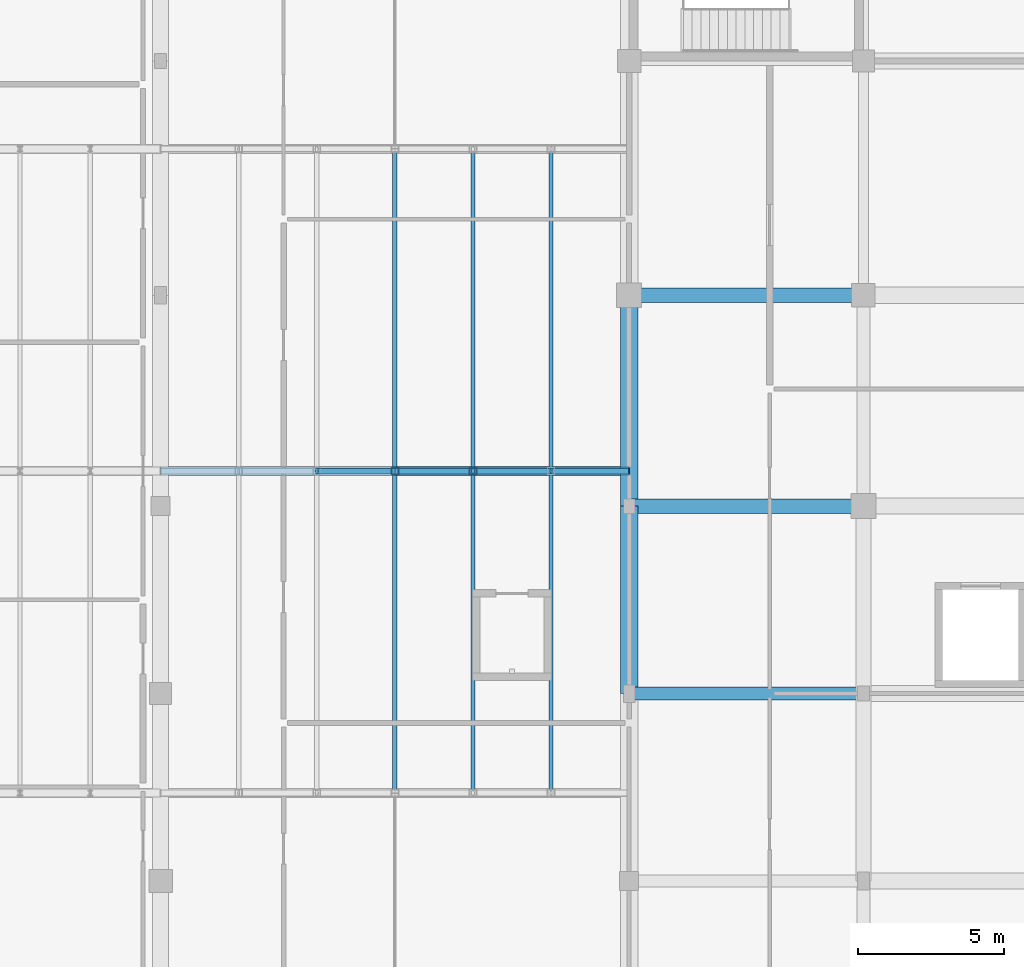
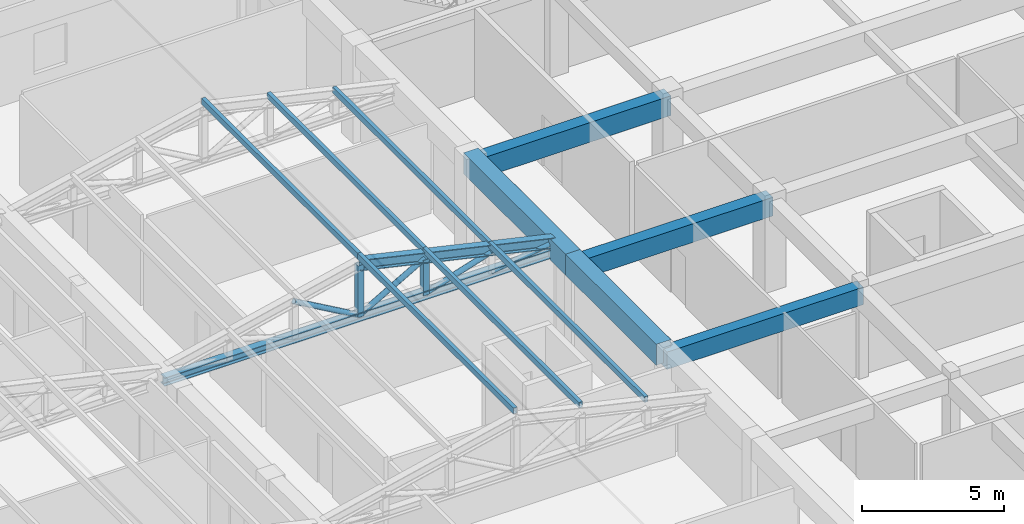
# One storey, part 6 of 35: 14 members, 5 beams.
"""IFC4 building model written with IfcOpenShell, lengths in metres."""

from ifc_helpers import new_model, si_unit, direction, frame, origin, origin_2d, place, context, subcontext, project, spatial, rectangle, hollow_rectangle, hollow_circle, i_section, extrude, material, material_profile, profile_set, type_object, element, save


model = new_model("IFC4")

# Units and contexts
model_context = context("Model", 3, precision=1e-05, world=origin(), true_north=direction((0.0, 1.0)))
body_context = subcontext(model_context, "Body", "Model", "MODEL_VIEW")
ifc_project = project(units=[si_unit("LENGTHUNIT", "METRE"), si_unit("AREAUNIT", "SQUARE_METRE"), si_unit("VOLUMEUNIT", "CUBIC_METRE"), si_unit("PLANEANGLEUNIT", "RADIAN"), si_unit("MASSUNIT", "GRAM", prefix="KILO")], contexts=[model_context])

# Site, building, storey
site_placement = place(None, origin())
site = spatial("IfcSite", under=ifc_project, at=site_placement, CompositionType="ELEMENT")
building_placement = place(site_placement, origin())
building = spatial("IfcBuilding", under=site, at=building_placement, Name="Vellmiral Cinema and Media Centre", CompositionType="ELEMENT")
storey_placement = place(building_placement, frame((0.0, 0.0, 15.60009765625)))
storey = spatial("IfcBuildingStorey", under=building, at=storey_placement, Name="L03", CompositionType="ELEMENT", Elevation=15.60009765625)

# Beams
ifc_material_1 = material(Name="Concrete C40/50", Category="concrete")
ifc_material_profile_1 = material_profile(ifc_material_1, rectangle(XDim=0.449951171875, YDim=0.75, at=origin_2d()), Name="RC 450x750")
ifc_profile_set_1 = profile_set([ifc_material_profile_1], Name="Concrete C40/50")
beam_type_1 = type_object("IfcBeamType", Name="BM-RC-450x750", PredefinedType="BEAM", material=ifc_profile_set_1)
beam_1_placement = place(storey_placement, frame((78.39990234375, 65.60009765625, 3.52001953125), z_axis=(1.0, 0.0, 0.0), x_axis=(0.0, 1.0, 0.0)))
element("IfcBeam", 1, at=beam_1_placement, inside=storey, type_object=beam_type_1, Name="Grid Beam L03-X016", PredefinedType="BEAM", context=body_context, shape_type="SweptSolid", body=[
    extrude(rectangle(XDim=0.449951171875, YDim=0.75, at=origin_2d()), origin(), (0.0, 0.0, 1.0), 8.0),
])
ifc_material_2 = material(Name="Concrete C40/50", Category="concrete")
ifc_material_profile_2 = material_profile(ifc_material_2, rectangle(XDim=0.5, YDim=0.800048828125, at=origin_2d()), Name="RC 500x800")
ifc_profile_set_2 = profile_set([ifc_material_profile_2], Name="Concrete C40/50")
beam_type_2 = type_object("IfcBeamType", Name="BM-RC-500x800", PredefinedType="BEAM", material=ifc_profile_set_2)
beam_2_placement = place(storey_placement, frame((78.39990234375, 72.0, 3.494873046875), z_axis=(1.0, 0.0, 0.0), x_axis=(0.0, 1.0, 0.0)))
element("IfcBeam", 2, at=beam_2_placement, inside=storey, type_object=beam_type_2, Name="Grid Beam L03-X026", PredefinedType="BEAM", context=body_context, shape_type="SweptSolid", body=[
    extrude(rectangle(XDim=0.5, YDim=0.800048828125, at=origin_2d()), origin(), (0.0, 0.0, 1.0), 8.0),
])
ifc_material_3 = material(Name="Concrete C40/50", Category="concrete")
ifc_material_profile_3 = material_profile(ifc_material_3, rectangle(XDim=0.5, YDim=0.85009765625, at=origin_2d()), Name="RC 500x850")
ifc_profile_set_3 = profile_set([ifc_material_profile_3], Name="Concrete C40/50")
beam_type_3 = type_object("IfcBeamType", Name="BM-RC-500x850", PredefinedType="BEAM", material=ifc_profile_set_3)
beam_3_placement = place(storey_placement, frame((78.39990234375, 79.199951171875, 3.469970703125), z_axis=(1.0, 0.0, 0.0), x_axis=(0.0, 1.0, 0.0)))
element("IfcBeam", 3, at=beam_3_placement, inside=storey, type_object=beam_type_3, Name="Grid Beam L03-X036", PredefinedType="BEAM", context=body_context, shape_type="SweptSolid", body=[
    extrude(rectangle(XDim=0.5, YDim=0.85009765625, at=origin_2d()), origin(), (0.0, 0.0, 1.0), 8.0),
])

# Members
ifc_material_4 = material(Name="Steel S355", Category="steel")
ifc_material_profile_4 = material_profile(ifc_material_4, hollow_rectangle(XDim=0.14990234375, YDim=0.25, WallThickness=0.010009765625, at=origin_2d()), Name="RHS 250x150x10.0")
ifc_profile_set_4 = profile_set([ifc_material_profile_4], Name="Steel S355")
member_type_1 = type_object("IfcMemberType", Name="PRL-RHS250", PredefinedType="PURLIN", material=ifc_profile_set_4)
for number, where, z_axis, x_axis, name in (
    (4, (70.39990234375, 62.199951171875, 6.10888671875), (0.0, 1.0, 0.0), (-1.0, 0.0, 0.0), "Roof Purlin VR-08E.3.1"),
    (5, (70.39990234375, 73.199951171875, 6.10888671875), (0.0, 1.0, 0.0), (-1.0, 0.0, 0.0), "Roof Purlin VR-08E.3.2"),
    (6, (73.066650390625, 62.199951171875, 5.419189453125), (0.0, 1.0, 0.0), (-1.0, 0.0, 0.0), "Roof Purlin VR-08E.4.1"),
    (7, (73.066650390625, 73.199951171875, 5.419189453125), (0.0, 1.0, 0.0), (-1.0, 0.0, 0.0), "Roof Purlin VR-08E.4.2"),
    (8, (75.7333984375, 62.199951171875, 4.7294921875), (0.0, 1.0, 0.0), (-1.0, 0.0, 0.0), "Roof Purlin VR-08E.5.1"),
    (9, (75.7333984375, 73.199951171875, 4.7294921875), (0.0, 1.0, 0.0), (-1.0, 0.0, 0.0), "Roof Purlin VR-08E.5.2"),
):
    element("IfcMember", number, at=place(storey_placement, frame(where, z_axis=z_axis, x_axis=x_axis)), inside=storey, type_object=member_type_1, Name=name, PredefinedType="PURLIN", context=body_context, shape_type="SweptSolid", body=[
        extrude(hollow_rectangle(XDim=0.14990234375, YDim=0.25, WallThickness=0.010009765625, at=origin_2d()), origin(), (0.0, 0.0, 1.0), 11.0),
    ])

# Beams
ifc_material_5 = material(Name="Concrete C40/50", Category="concrete")
ifc_material_profile_5 = material_profile(ifc_material_5, rectangle(XDim=0.60009765625, YDim=0.89990234375, at=origin_2d()), Name="RC 600x900")
ifc_profile_set_5 = profile_set([ifc_material_profile_5], Name="Concrete C40/50")
beam_type_4 = type_object("IfcBeamType", Name="RING-BM-600x900", PredefinedType="BEAM", material=ifc_profile_set_5)
beam_4_placement = place(storey_placement, frame((78.39990234375, 65.60009765625, 3.75), z_axis=(0.0, 1.0, 0.0), x_axis=(-1.0, 0.0, 0.0)))
element("IfcBeam", 10, at=beam_4_placement, inside=storey, type_object=beam_type_4, Name="Central Editing Hall East Barrel Vault Ring Beam 05", PredefinedType="BEAM", context=body_context, shape_type="SweptSolid", body=[
    extrude(rectangle(XDim=0.60009765625, YDim=0.89990234375, at=origin_2d()), origin(), (0.0, 0.0, 1.0), 6.39990234375),
])
beam_5_placement = place(storey_placement, frame((78.39990234375, 72.0, 3.75), z_axis=(0.0, 1.0, 0.0), x_axis=(-1.0, 0.0, 0.0)))
element("IfcBeam", 11, at=beam_5_placement, inside=storey, type_object=beam_type_4, Name="Central Editing Hall East Barrel Vault Ring Beam 06", PredefinedType="BEAM", context=body_context, shape_type="SweptSolid", body=[
    extrude(rectangle(XDim=0.60009765625, YDim=0.89990234375, at=origin_2d()), origin(), (0.0, 0.0, 1.0), 7.199951171875),
])

# Members
ifc_material_6 = material(Name="Steel S355", Category="steel")
ifc_material_profile_6 = material_profile(ifc_material_6, hollow_circle(Radius=0.109619140625, WallThickness=0.010009765625, at=origin_2d()), Name="CHS 219.1x10.0")
ifc_profile_set_6 = profile_set([ifc_material_profile_6], Name="Steel S355")
member_type_2 = type_object("IfcMemberType", Name="TBR-CHS219", PredefinedType="BRACE", material=ifc_profile_set_6)
member_1_placement = place(storey_placement, frame((67.7333984375, 73.199951171875, 5.0791015625), z_axis=(0.867460050673, 0.0, -0.497506844663), x_axis=(0.0, 1.0, 0.0)))
element("IfcMember", 12, at=member_1_placement, inside=storey, type_object=member_type_2, Name="Roof Truss TR-08B.2 Diagonal 3", PredefinedType="BRACE", context=body_context, shape_type="SweptSolid", body=[
    extrude(hollow_circle(Radius=0.109619140625, WallThickness=0.010009765625, at=origin_2d()), origin(), (0.0, 0.0, 1.0), 3.073974609375),
])
member_2_placement = place(storey_placement, frame((70.39990234375, 73.199951171875, 3.5498046875), z_axis=(0.867479706917, 0.0, 0.497472570185), x_axis=(0.0, 1.0, 0.0)))
element("IfcMember", 13, at=member_2_placement, inside=storey, type_object=member_type_2, Name="Roof Truss TR-08B.2 Diagonal 4", PredefinedType="BRACE", context=body_context, shape_type="SweptSolid", body=[
    extrude(hollow_circle(Radius=0.109619140625, WallThickness=0.010009765625, at=origin_2d()), origin(), (0.0, 0.0, 1.0), 3.07421875),
])
member_3_placement = place(storey_placement, frame((73.066650390625, 73.199951171875, 3.5498046875), z_axis=(0.953842302692, 0.0, 0.300307944608), x_axis=(0.0, 1.0, 0.0)))
element("IfcMember", 14, at=member_3_placement, inside=storey, type_object=member_type_2, Name="Roof Truss TR-08B.2 Diagonal 5", PredefinedType="BRACE", context=body_context, shape_type="SweptSolid", body=[
    extrude(hollow_circle(Radius=0.109619140625, WallThickness=0.010009765625, at=origin_2d()), origin(), (0.0, 0.0, 1.0), 2.7958984375),
])
member_4_placement = place(storey_placement, frame((75.7333984375, 73.199951171875, 3.5498046875), z_axis=(0.989204434895, 0.0, 0.146542096288), x_axis=(0.0, 1.0, 0.0)))
element("IfcMember", 15, at=member_4_placement, inside=storey, type_object=member_type_2, Name="Roof Truss TR-08B.2 Diagonal 6", PredefinedType="BRACE", context=body_context, shape_type="SweptSolid", body=[
    extrude(hollow_circle(Radius=0.109619140625, WallThickness=0.010009765625, at=origin_2d()), origin(), (0.0, 0.0, 1.0), 2.695556640625),
])
ifc_material_7 = material(Name="Steel S355", Category="steel")
ifc_material_profile_7 = material_profile(ifc_material_7, hollow_rectangle(XDim=0.25, YDim=0.25, WallThickness=0.012451171875, at=origin_2d()), Name="SHS 250x250x12.5")
ifc_profile_set_7 = profile_set([ifc_material_profile_7], Name="Steel S355")
member_type_3 = type_object("IfcMemberType", Name="TBR-SHS250", PredefinedType="BRACE", material=ifc_profile_set_7)
member_5_placement = place(storey_placement, frame((70.39990234375, 73.199951171875, 3.5498046875), z_axis=(0.0, 0.0, 1.0), x_axis=(1.0, 0.0, 0.0)))
element("IfcMember", 16, at=member_5_placement, inside=storey, type_object=member_type_3, Name="Roof Truss TR-08B.2 Post 3", PredefinedType="BRACE", context=body_context, shape_type="SweptSolid", body=[
    extrude(hollow_rectangle(XDim=0.25, YDim=0.25, WallThickness=0.012451171875, at=origin_2d()), origin(), (0.0, 0.0, 1.0), 2.218994140625),
])
member_6_placement = place(storey_placement, frame((73.066650390625, 73.199951171875, 3.5498046875), z_axis=(0.0, 0.0, 1.0), x_axis=(1.0, 0.0, 0.0)))
element("IfcMember", 17, at=member_6_placement, inside=storey, type_object=member_type_3, Name="Roof Truss TR-08B.2 Post 4", PredefinedType="BRACE", context=body_context, shape_type="SweptSolid", body=[
    extrude(hollow_rectangle(XDim=0.25, YDim=0.25, WallThickness=0.012451171875, at=origin_2d()), origin(), (0.0, 0.0, 1.0), 1.529296875),
])
ifc_material_8 = material(Name="Steel S355", Category="steel")
ifc_material_profile_8 = material_profile(ifc_material_8, i_section(OverallWidth=0.300048828125, OverallDepth=0.360107421875, WebThickness=0.012451171875, FlangeThickness=0.0224609375, FilletRadius=0.027099609375, at=origin_2d()), Name="HEB 360")
ifc_profile_set_8 = profile_set([ifc_material_profile_8], Name="Steel S355")
member_type_4 = type_object("IfcMemberType", Name="TCH-HEB360", PredefinedType="CHORD", material=ifc_profile_set_8)
member_7_placement = place(storey_placement, frame((62.39990234375, 73.199951171875, 3.5498046875), z_axis=(1.0, 0.0, 0.0), x_axis=(0.0, 1.0, 0.0)))
element("IfcMember", 18, at=member_7_placement, inside=storey, type_object=member_type_4, Name="Roof Truss TR-08B.2 Bottom Chord", PredefinedType="CHORD", context=body_context, shape_type="SweptSolid", body=[
    extrude(i_section(OverallWidth=0.300048828125, OverallDepth=0.360107421875, WebThickness=0.012451171875, FlangeThickness=0.0224609375, FilletRadius=0.027099609375, at=origin_2d()), origin(), (0.0, 0.0, 1.0), 16.0),
])
ifc_material_9 = material(Name="Steel S355", Category="steel")
ifc_material_profile_9 = material_profile(ifc_material_9, i_section(OverallWidth=0.300048828125, OverallDepth=0.449951171875, WebThickness=0.013916015625, FlangeThickness=0.02587890625, FilletRadius=0.027099609375, at=origin_2d()), Name="HEB 450")
ifc_profile_set_9 = profile_set([ifc_material_profile_9], Name="Steel S355")
member_type_5 = type_object("IfcMemberType", Name="TCH-HEB450", PredefinedType="CHORD", material=ifc_profile_set_9)
member_8_placement = place(storey_placement, frame((70.39990234375, 73.199951171875, 5.768798828125), z_axis=(0.974980054938, 0.0, -0.222292358107), x_axis=(0.0, 1.0, 0.0)))
element("IfcMember", 19, at=member_8_placement, inside=storey, type_object=member_type_5, Name="Roof Truss TR-08B.2 Top Chord E", PredefinedType="CHORD", context=body_context, shape_type="SweptSolid", body=[
    extrude(i_section(OverallWidth=0.300048828125, OverallDepth=0.449951171875, WebThickness=0.013916015625, FlangeThickness=0.02587890625, FilletRadius=0.027099609375, at=origin_2d()), origin(), (0.0, 0.0, 1.0), 8.205322265625),
])

save(model, "model.ifc")
